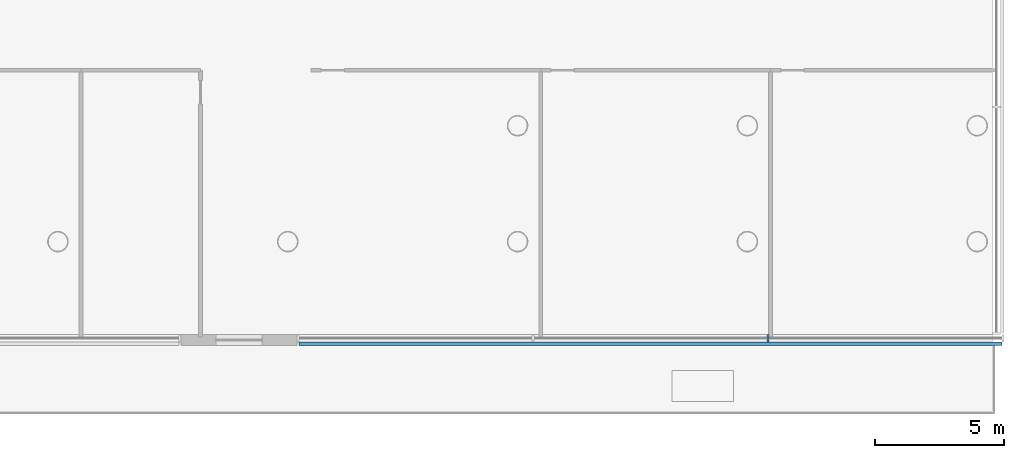
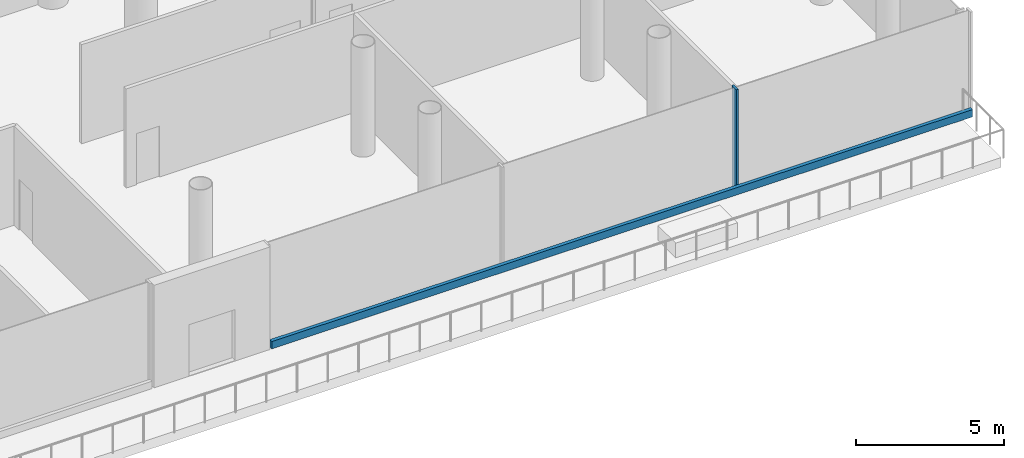
# One storey, part 9 of 49: 2 members, 1 element without a shape of its own.
"""IFC4 building model written with IfcOpenShell, lengths in metres."""

from ifc_helpers import new_model, si_unit, direction, frame, origin, origin_2d, place, context, subcontext, project, spatial, rectangle, extrude, material, layer, layer_set, material_profile, profile_set, type_object, element, aggregate, save


model = new_model("IFC4")

# Units and contexts
model_context = context("Model", 3, precision=1e-05, world=origin(), true_north=direction((0.0, 1.0)))
body_context = subcontext(model_context, "Body", "Model", "MODEL_VIEW")
ifc_project = project(units=[si_unit("LENGTHUNIT", "METRE"), si_unit("AREAUNIT", "SQUARE_METRE"), si_unit("VOLUMEUNIT", "CUBIC_METRE"), si_unit("PLANEANGLEUNIT", "RADIAN"), si_unit("MASSUNIT", "GRAM", prefix="KILO")], contexts=[model_context])

# Site, building, storey
site_placement = place(None, origin())
site = spatial("IfcSite", under=ifc_project, at=site_placement, CompositionType="ELEMENT")
building_placement = place(site_placement, origin())
building = spatial("IfcBuilding", under=site, at=building_placement, Name="Ipe Terrace Towers", CompositionType="ELEMENT")
storey_placement = place(building_placement, frame((0.0, 0.0, 11.0)))
storey = spatial("IfcBuildingStorey", under=building, at=storey_placement, Name="L02", CompositionType="ELEMENT", Elevation=11.0)

# Curtain wall, members
ifc_material_1 = material(Name="Aluminium alloy 6063-T6", Category="aluminium")
ifc_layer = layer(ifc_material_1, 0.43994140625)
ifc_layer_set = layer_set([ifc_layer], Name="PODIUM GLAZING CURTAIN WALL")
curtain_wall_type = type_object("IfcCurtainWallType", Name="PODIUM GLAZING CURTAIN WALL", PredefinedType="NOTDEFINED", material=ifc_layer_set)
curtain_wall_placement = place(storey_placement, origin())
curtain_wall = element("IfcCurtainWall", 1, at=curtain_wall_placement, inside=storey, type_object=curtain_wall_type, Name="POD-CW-L02-03f curtain wall", PredefinedType="NOTDEFINED")
ifc_material_2 = material(Name="Aluminium alloy 6063-T6", Category="aluminium")
ifc_material_profile_1 = material_profile(ifc_material_2, rectangle(XDim=0.300048828125, YDim=0.080078125, at=origin_2d()), Name="PODIUM GLAZING MULLION 300 x 80")
ifc_profile_set_1 = profile_set([ifc_material_profile_1], Name="Aluminium alloy 6063-T6")
member_type_1 = type_object("IfcMemberType", Name="PODIUM GLAZING MULLION 300 x 80", PredefinedType="MULLION", material=ifc_profile_set_1)
member_1_placement = place(storey_placement, frame((56.530029296875, -36.89990234375, -0.02001953125), z_axis=(0.0, 0.0, 1.0), x_axis=(0.0, -1.0, 0.0)))
member_1 = element("IfcMember", 2, at=member_1_placement, type_object=member_type_1, Name="POD-CW-L02-03f mullion 3", PredefinedType="MULLION", context=body_context, shape_type="SweptSolid", body=[
    extrude(rectangle(XDim=0.300048828125, YDim=0.080078125, at=origin_2d()), origin(), (0.0, 0.0, 1.0), 4.219970703125),
])
ifc_material_3 = material(Name="Aluminium alloy 6063-T6", Category="aluminium")
ifc_material_profile_2 = material_profile(ifc_material_3, rectangle(XDim=0.139892578125, YDim=0.300048828125, at=origin_2d()), Name="PODIUM GLAZING TRANSOM 140 x 300")
ifc_profile_set_2 = profile_set([ifc_material_profile_2], Name="Aluminium alloy 6063-T6")
member_type_2 = type_object("IfcMemberType", Name="PODIUM GLAZING TRANSOM 140 x 300", PredefinedType="USERDEFINED", material=ifc_profile_set_2)
member_2_placement = place(storey_placement, frame((38.330078125, -37.1201171875, 0.1298828125), z_axis=(1.0, 0.0, 0.0), x_axis=(0.0, -1.0, 0.0)))
member_2 = element("IfcMember", 3, at=member_2_placement, type_object=member_type_2, Name="POD-CW-L02-03f transom", ObjectType="TRANSOM", PredefinedType="USERDEFINED", context=body_context, shape_type="SweptSolid", body=[
    extrude(rectangle(XDim=0.139892578125, YDim=0.300048828125, at=origin_2d()), origin(), (0.0, 0.0, 1.0), 27.280029296875),
])
aggregate(curtain_wall, [member_1, member_2])

save(model, "model.ifc")
